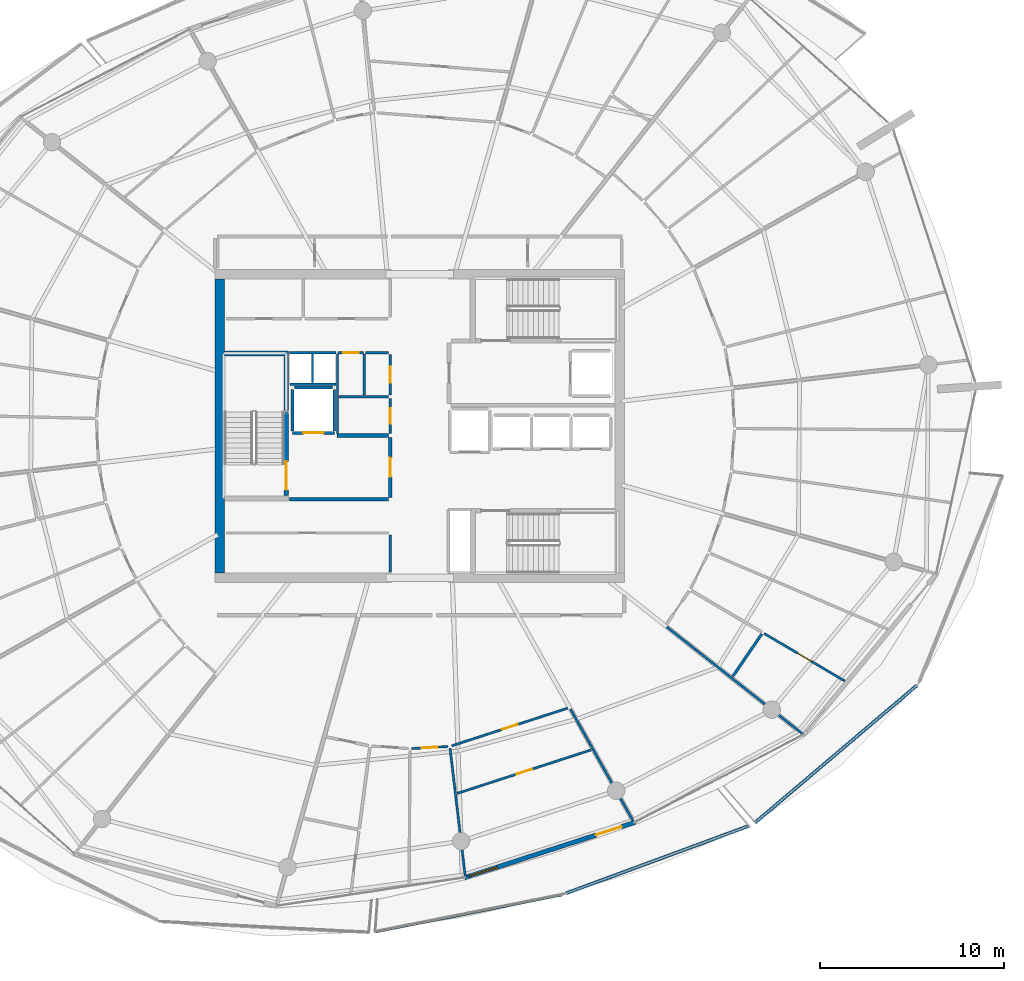
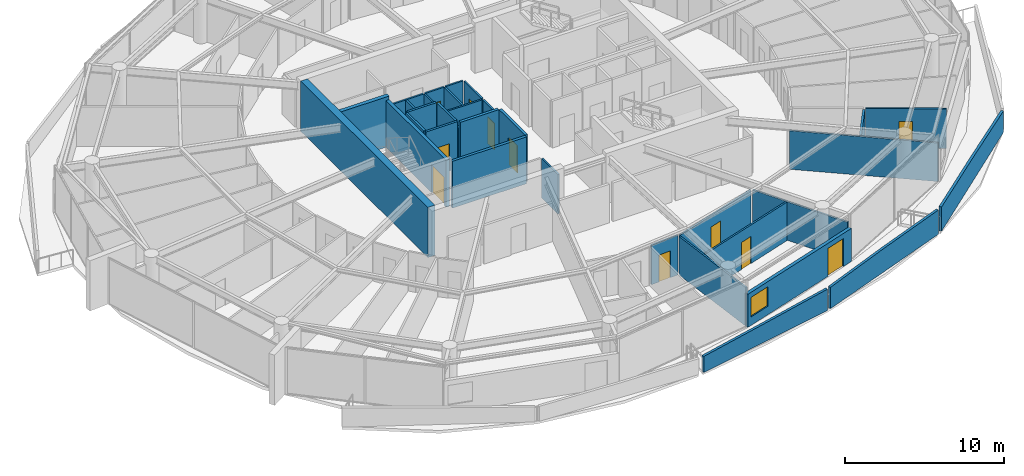
# One storey, part 18 of 29: 33 walls, 11 doors, 1 window, 12 openings.
"""IFC4 building model written with IfcOpenShell, lengths in metres."""

from ifc_helpers import new_model, si_unit, direction, frame, frame_2d, origin, place, context, subcontext, project, spatial, polyline, rectangle, outline, extrude, material, layer, layer_set, type_object, element, fill, save


model = new_model("IFC4")

# Units and contexts
model_context = context("Model", 3, precision=1e-05, world=origin(), true_north=direction((0.0, 1.0)))
body_context = subcontext(model_context, "Body", "Model", "MODEL_VIEW")
ifc_project = project(units=[si_unit("LENGTHUNIT", "METRE"), si_unit("AREAUNIT", "SQUARE_METRE"), si_unit("VOLUMEUNIT", "CUBIC_METRE"), si_unit("PLANEANGLEUNIT", "RADIAN"), si_unit("MASSUNIT", "GRAM", prefix="KILO")], contexts=[model_context])

# Site, building, storey
site_placement = place(None, origin())
site = spatial("IfcSite", under=ifc_project, at=site_placement, CompositionType="ELEMENT")
building_placement = place(site_placement, origin())
building = spatial("IfcBuilding", under=site, at=building_placement, Name="Kazma Halo Residences", CompositionType="ELEMENT")
storey_placement = place(building_placement, frame((0.0, 0.0, 286.75)))
storey = spatial("IfcBuildingStorey", under=building, at=storey_placement, Name="L72", CompositionType="ELEMENT", Elevation=286.75)

# Walls
ifc_material_1 = material(Name="White Concrete C50/60 Balustrade", Category="concrete")
ifc_layer_1 = layer(ifc_material_1, 0.179931640625)
ifc_layer_set_1 = layer_set([ifc_layer_1], Name="White Concrete C50/60 Balustrade")
wall_type_1 = type_object("IfcWallType", Name="WL-BAL-WAVE-180", PredefinedType="PARAPET", material=ifc_layer_set_1)
wall_1_placement = place(storey_placement, frame((46.005615234375, 14.513916015625, 0.0), z_axis=(0.0, 0.0, 1.0), x_axis=(0.980919619001, 0.194413736807, 0.0)))
element("IfcWall", 1, at=wall_1_placement, inside=storey, type_object=wall_type_1, Name="L72 white wave balustrade wall SSE.1", PredefinedType="PARAPET", context=body_context, shape_type="SweptSolid", body=[
    extrude(outline(polyline([(0.0, 0.0), (10.34375, 0.0), (10.34375, 1.632080078125), (5.171875, 1.41796875), (0.0, 1.23291015625), (0.0, 0.0)])), frame((0.0, 0.08984375, 0.0), z_axis=(0.0, -1.0, 0.0), x_axis=(1.0, 0.0, 0.0)), (0.0, 0.0, 1.0), 0.179931640625),
])
wall_2_placement = place(storey_placement, frame((56.38232421875, 16.589599609375, 0.0), z_axis=(0.0, 0.0, 1.0), x_axis=(0.938191788678, 0.346115829828, 0.0)))
element("IfcWall", 2, at=wall_2_placement, inside=storey, type_object=wall_type_1, Name="L72 white wave balustrade wall SSE.2", PredefinedType="PARAPET", context=body_context, shape_type="SweptSolid", body=[
    extrude(outline(polyline([(0.0, 0.0), (10.61083984375, 0.0), (10.61083984375, 1.860107421875), (5.305419921875, 1.798095703125), (0.0, 1.632080078125), (0.0, 0.0)])), frame((0.0, 0.08984375, 0.0), z_axis=(0.0, -1.0, 0.0), x_axis=(1.0, 0.0, 0.0)), (0.0, 0.0, 1.0), 0.179931640625),
])
wall_3_placement = place(storey_placement, frame((66.65234375, 20.428955078125, 0.0), z_axis=(0.0, 0.0, 1.0), x_axis=(0.762735629532, 0.646710413896, 0.0)))
element("IfcWall", 3, at=wall_3_placement, inside=storey, type_object=wall_type_1, Name="L72 white wave balustrade wall SE.1", PredefinedType="PARAPET", context=body_context, shape_type="SweptSolid", body=[
    extrude(outline(polyline([(0.0, 0.0), (11.53515625, 0.0), (11.53515625, 1.632080078125), (5.767578125, 1.798095703125), (0.0, 1.860107421875), (0.0, 0.0)])), frame((0.0, 0.08984375, 0.0), z_axis=(0.0, -1.0, 0.0), x_axis=(1.0, 0.0, 0.0)), (0.0, 0.0, 1.0), 0.179931640625),
])
ifc_material_2 = material(Name="Concrete C60/75", Category="concrete")
ifc_layer_2 = layer(ifc_material_2, 0.5)
ifc_layer_set_2 = layer_set([ifc_layer_2], Name="Concrete C60/75")
wall_type_2 = type_object("IfcWallType", Name="WL-CORE-500", PredefinedType="SHEAR", material=ifc_layer_set_2)
wall_4_placement = place(storey_placement, frame((37.550048828125, 34.0, 0.0), z_axis=(0.0, 0.0, 1.0), x_axis=(0.0, 1.0, 0.0)))
element("IfcWall", 4, at=wall_4_placement, inside=storey, type_object=wall_type_2, Name="L72 central core shear wall W", PredefinedType="SHEAR", context=body_context, shape_type="SweptSolid", body=[
    extrude(rectangle(XDim=16.0, YDim=0.5, at=frame_2d((8.0, 0.0))), origin(), (0.0, 0.0, 1.0), 3.85009765625),
])
ifc_layer_3 = layer(ifc_material_2, 0.280029296875)
ifc_layer_set_3 = layer_set([ifc_layer_3], Name="Concrete C60/75")
wall_type_3 = type_object("IfcWallType", Name="WL-CORE-ST-280", PredefinedType="SHEAR", material=ifc_layer_set_3)
wall_5_placement = place(storey_placement, frame((37.800048828125, 45.93994140625, 0.0), z_axis=(0.0, 0.0, 1.0), x_axis=(1.0, 0.0, 0.0)))
element("IfcWall", 5, at=wall_5_placement, inside=storey, type_object=wall_type_3, Name="L72 stairwell bearing wall ST01-N", PredefinedType="SHEAR", context=body_context, shape_type="SweptSolid", body=[
    extrude(rectangle(XDim=3.5, YDim=0.280029296875, at=frame_2d((1.75, 0.0))), origin(), (0.0, 0.0, 1.0), 3.85009765625),
])

# Wall, openings, door, window
ifc_material_3 = material(Name="Insulated Pale-Metal Composite Wall")
ifc_layer_4 = layer(ifc_material_3, 0.239990234375)
ifc_layer_set_4 = layer_set([ifc_layer_4], Name="Insulated Pale-Metal Composite Wall")
wall_type_4 = type_object("IfcWallType", Name="WL-EXT-HOST-240", PredefinedType="SOLIDWALL", material=ifc_layer_set_4)
wall_6_placement = place(storey_placement, frame((50.85791015625, 17.436279296875, 0.0), z_axis=(0.0, 0.0, 1.0), x_axis=(0.951055974609, 0.309018661507, 0.0)))
wall_6 = element("IfcWall", 6, at=wall_6_placement, inside=storey, type_object=wall_type_4, Name="L72 exterior terrace-access wall B12", PredefinedType="SOLIDWALL", context=body_context, shape_type="SweptSolid", body=[
    extrude(rectangle(XDim=9.745361328125, YDim=0.239990234375, at=frame_2d((4.87255859375, 0.0))), origin(), (0.0, 0.0, 1.0), 2.5400390625),
])
opening_1_placement = place(wall_6_placement, frame((7.525390625, 0.0, 0.0)))
opening_1 = element("IfcOpeningElement", 7, at=opening_1_placement, cuts=wall_6, Name="Opening DTR-1600", PredefinedType="OPENING", context=body_context, shape_type="SweptSolid", body=[
    extrude(rectangle(XDim=1.449951171875, YDim=2.14990234375, at=frame_2d((0.72509765625, 1.074951171875))), frame((0.0, 0.1298828125, 0.0), z_axis=(0.0, -1.0, 0.0), x_axis=(1.0, 0.0, 0.0)), (0.0, 0.0, 1.0), 0.260009765625),
])
opening_2_placement = place(wall_6_placement, frame((0.280029296875, 0.0, 0.64990234375)))
opening_2 = element("IfcOpeningElement", 8, at=opening_2_placement, cuts=wall_6, Name="Opening W-1800", PredefinedType="OPENING", context=body_context, shape_type="SweptSolid", body=[
    extrude(rectangle(XDim=1.60009765625, YDim=1.5, at=frame_2d((0.800048828125, 0.75))), frame((0.0, 0.1298828125, 0.0), z_axis=(0.0, -1.0, 0.0), x_axis=(1.0, 0.0, 0.0)), (0.0, 0.0, 1.0), 0.260009765625),
])
ifc_material_4 = material(Name="Aluminium AW-6063 T6 Double-Glazed Terrace Door", Category="aluminium")
door_type_1 = type_object("IfcDoorType", Name="DR-EXT-TERR-1600", OperationType="NOTDEFINED", PredefinedType="DOOR", material=ifc_material_4)
door_1_placement = place(opening_1_placement, origin())
door_1 = element("IfcDoor", 9, at=door_1_placement, inside=storey, type_object=door_type_1, Name="L72 B12 balcony terrace door", OperationType="DOUBLE_DOOR_SLIDING", OverallHeight=2.14990234375, OverallWidth=1.449951171875, PredefinedType="DOOR", context=body_context, shape_type="SweptSolid", body=[
    extrude(rectangle(XDim=1.449951171875, YDim=2.14990234375, at=frame_2d((0.72509765625, 1.074951171875))), frame((0.0, 0.02490234375, 0.0), z_axis=(0.0, -1.0, 0.0), x_axis=(1.0, 0.0, 0.0)), (0.0, 0.0, 1.0), 0.050048828125),
])
fill(opening_1, door_1)
ifc_material_5 = material(Name="Clear Triple-Silver Low-E Glass in Aluminium AW-6063 T6 Frame", Category="aluminium")
window_type = type_object("IfcWindowType", Name="WIN-RES-1800", PartitioningType="DOUBLE_PANEL_VERTICAL", PredefinedType="WINDOW", material=ifc_material_5)
window_placement = place(opening_2_placement, origin())
window = element("IfcWindow", 10, at=window_placement, inside=storey, type_object=window_type, Name="L72 B12 apartment window", OverallHeight=1.5, OverallWidth=1.60009765625, PartitioningType="SINGLE_PANEL", PredefinedType="WINDOW", context=body_context, shape_type="SweptSolid", body=[
    extrude(rectangle(XDim=1.60009765625, YDim=1.5, at=frame_2d((0.800048828125, 0.75))), frame((0.0, 0.030029296875, 0.0), z_axis=(0.0, -1.0, 0.0), x_axis=(1.0, 0.0, 0.0)), (0.0, 0.0, 1.0), 0.06005859375),
])
fill(opening_2, window)

# Wall, opening, door
ifc_material_6 = material(Name="Fire-Rated Blockwork Masonry", Category="masonry")
ifc_layer_5 = layer(ifc_material_6, 0.199951171875)
ifc_layer_set_5 = layer_set([ifc_layer_5], Name="Fire-Rated Blockwork Masonry")
wall_type_5 = type_object("IfcWallType", Name="WL-FLB-200", PredefinedType="PARTITIONING", material=ifc_layer_set_5)
wall_7_placement = place(storey_placement, frame((43.780029296875, 41.6201171875, 0.0), z_axis=(0.0, 0.0, 1.0), x_axis=(-1.0, 0.0, 0.0)))
wall_7 = element("IfcWall", 11, at=wall_7_placement, inside=storey, type_object=wall_type_5, Name="L72 lift shaft FL-01 front wall", PredefinedType="PARTITIONING", context=body_context, shape_type="SweptSolid", body=[
    extrude(rectangle(XDim=2.260009765625, YDim=0.159912109375, at=frame_2d((1.1298828125, 0.0))), origin(), (0.0, 0.0, 1.0), 3.590087890625),
])
opening_3_placement = place(wall_7_placement, frame((0.580078125, 0.0, 0.0)))
opening_3 = element("IfcOpeningElement", 12, at=opening_3_placement, cuts=wall_7, Name="Opening LD-FL-01", PredefinedType="OPENING", context=body_context, shape_type="SweptSolid", body=[
    extrude(rectangle(XDim=1.10009765625, YDim=2.10009765625, at=frame_2d((0.550048828125, 1.050048828125))), frame((0.0, 0.08984375, 0.0), z_axis=(0.0, -1.0, 0.0), x_axis=(1.0, 0.0, 0.0)), (0.0, 0.0, 1.0), 0.179931640625),
])
ifc_material_7 = material(Name="Stainless Steel Fire-Rated", Category="steel")
door_type_2 = type_object("IfcDoorType", Name="DR-LIFT-SLD-1100", OperationType="DOUBLE_DOOR_SLIDING", PredefinedType="DOOR", material=ifc_material_7)
door_2_placement = place(opening_3_placement, origin())
door_2 = element("IfcDoor", 13, at=door_2_placement, inside=storey, type_object=door_type_2, Name="L72 lift FL-01 sliding landing door", OperationType="DOUBLE_DOOR_SLIDING", OverallHeight=2.10009765625, OverallWidth=1.10009765625, PredefinedType="DOOR", context=body_context, shape_type="SweptSolid", body=[
    extrude(rectangle(XDim=1.10009765625, YDim=2.10009765625, at=frame_2d((0.550048828125, 1.050048828125))), frame((0.0, 0.02490234375, 0.0), z_axis=(0.0, -1.0, 0.0), x_axis=(1.0, 0.0, 0.0)), (0.0, 0.0, 1.0), 0.050048828125),
])
fill(opening_3, door_2)

# Walls
for number, where, z_axis, x_axis, name in (
    (14, (43.780029296875, 41.719970703125, 0.0), (0.0, 0.0, 1.0), (0.0, 1.0, 0.0), "L72 lift shaft FL-01 side wall E"),
    (15, (41.52001953125, 41.719970703125, 0.0), (0.0, 0.0, 1.0), (0.0, 1.0, 0.0), "L72 lift shaft FL-01 side wall W"),
):
    element("IfcWall", number, at=place(storey_placement, frame(where, z_axis=z_axis, x_axis=x_axis)), inside=storey, type_object=wall_type_5, Name=name, PredefinedType="PARTITIONING", context=body_context, shape_type="SweptSolid", body=[
        extrude(rectangle(XDim=2.260009765625, YDim=0.159912109375, at=frame_2d((1.1298828125, 0.0))), origin(), (0.0, 0.0, 1.0), 3.590087890625),
    ])
wall_8_placement = place(storey_placement, frame((41.6201171875, 44.080078125, 0.0), z_axis=(0.0, 0.0, 1.0), x_axis=(1.0, 0.0, 0.0)))
element("IfcWall", 16, at=wall_8_placement, inside=storey, type_object=wall_type_5, Name="L72 lift shaft FL-01 side wall N", PredefinedType="PARTITIONING", context=body_context, shape_type="SweptSolid", body=[
    extrude(rectangle(XDim=2.059814453125, YDim=0.159912109375, at=frame_2d((1.02978515625, 0.0))), origin(), (0.0, 0.0, 1.0), 3.590087890625),
])
wall_9_placement = place(storey_placement, frame((41.35009765625, 38.02001953125, 0.0), z_axis=(0.0, 0.0, 1.0), x_axis=(1.0, 0.0, 0.0)))
element("IfcWall", 17, at=wall_9_placement, inside=storey, type_object=wall_type_5, Name="L72 west firefighting lobby south smoke wall", PredefinedType="PARTITIONING", context=body_context, shape_type="SweptSolid", body=[
    extrude(rectangle(XDim=5.369873046875, YDim=0.199951171875, at=frame_2d((2.68505859375, 0.0))), origin(), (0.0, 0.0, 1.0), 3.590087890625),
])
wall_10_placement = place(storey_placement, frame((43.919921875, 41.47998046875, 0.0), z_axis=(0.0, 0.0, 1.0), x_axis=(1.0, 0.0, 0.0)))
element("IfcWall", 18, at=wall_10_placement, inside=storey, type_object=wall_type_5, Name="L72 west firefighting lobby north smoke wall", PredefinedType="PARTITIONING", context=body_context, shape_type="SweptSolid", body=[
    extrude(rectangle(XDim=2.800048828125, YDim=0.199951171875, at=frame_2d((1.39990234375, 0.0))), origin(), (0.0, 0.0, 1.0), 3.590087890625),
])

# Wall, opening, door
wall_11_placement = place(storey_placement, frame((46.820068359375, 38.1201171875, 0.0), z_axis=(0.0, 0.0, 1.0), x_axis=(0.0, 1.0, 0.0)))
wall_11 = element("IfcWall", 19, at=wall_11_placement, inside=storey, type_object=wall_type_5, Name="L72 west firefighting lobby smoke wall", PredefinedType="PARTITIONING", context=body_context, shape_type="SweptSolid", body=[
    extrude(rectangle(XDim=3.259765625, YDim=0.199951171875, at=frame_2d((1.6298828125, 0.0))), origin(), (0.0, 0.0, 1.0), 3.590087890625),
])
opening_4_placement = place(wall_11_placement, frame((1.10498046875, 0.0, 0.0)))
opening_4 = element("IfcOpeningElement", 20, at=opening_4_placement, cuts=wall_11, Name="Opening D-FLW", PredefinedType="OPENING", context=body_context, shape_type="SweptSolid", body=[
    extrude(rectangle(XDim=1.050048828125, YDim=2.10009765625, at=frame_2d((0.52490234375, 1.050048828125))), frame((0.0, 0.10986328125, 0.0), z_axis=(0.0, -1.0, 0.0), x_axis=(1.0, 0.0, 0.0)), (0.0, 0.0, 1.0), 0.219970703125),
])
ifc_material_8 = material(Name="Fire-Rated Steel Leaf", Category="steel")
door_type_3 = type_object("IfcDoorType", Name="DR-FD90-1050", OperationType="NOTDEFINED", PredefinedType="DOOR", material=ifc_material_8)
door_3_placement = place(opening_4_placement, origin())
door_3 = element("IfcDoor", 21, at=door_3_placement, inside=storey, type_object=door_type_3, Name="L72 west firefighting lobby smoke door", OperationType="SINGLE_SWING_LEFT", OverallHeight=2.10009765625, OverallWidth=1.050048828125, PredefinedType="DOOR", context=body_context, shape_type="SweptSolid", body=[
    extrude(rectangle(XDim=1.050048828125, YDim=2.10009765625, at=frame_2d((0.52490234375, 1.050048828125))), frame((0.0, 0.02490234375, 0.0), z_axis=(0.0, -1.0, 0.0), x_axis=(1.0, 0.0, 0.0)), (0.0, 0.0, 1.0), 0.050048828125),
])
fill(opening_4, door_3)

# Walls
ifc_material_9 = material(Name="Gypsum Plasterboard Partition")
ifc_layer_6 = layer(ifc_material_9, 0.125)
ifc_layer_set_6 = layer_set([ifc_layer_6], Name="Gypsum Plasterboard Partition")
wall_type_6 = type_object("IfcWallType", Name="WL-PART-125", PredefinedType="PARTITIONING", material=ifc_layer_set_6)
wall_12_placement = place(storey_placement, frame((46.820068359375, 34.050048828125, 0.0), z_axis=(0.0, 0.0, 1.0), x_axis=(0.0, 1.0, 0.0)))
element("IfcWall", 22, at=wall_12_placement, inside=storey, type_object=wall_type_6, Name="L72 reclaimed south east wall", PredefinedType="PARTITIONING", context=body_context, shape_type="SweptSolid", body=[
    extrude(rectangle(XDim=2.030029296875, YDim=0.125, at=frame_2d((1.01513671875, 0.0))), origin(), (0.0, 0.0, 1.0), 3.030029296875),
])
wall_13_placement = place(storey_placement, frame((41.360107421875, 44.260009765625, 0.0), z_axis=(0.0, 0.0, 1.0), x_axis=(1.0, 0.0, 0.0)))
element("IfcWall", 23, at=wall_13_placement, inside=storey, type_object=wall_type_6, Name="L72 core riser south wall", PredefinedType="PARTITIONING", context=body_context, shape_type="SweptSolid", body=[
    extrude(rectangle(XDim=2.5, YDim=0.125, at=frame_2d((1.25, 0.0))), origin(), (0.0, 0.0, 1.0), 3.030029296875),
])
wall_14_placement = place(storey_placement, frame((42.60009765625, 44.35009765625, 0.0), z_axis=(0.0, 0.0, 1.0), x_axis=(0.0, 1.0, 0.0)))
element("IfcWall", 24, at=wall_14_placement, inside=storey, type_object=wall_type_6, Name="L72 core riser divider wall", PredefinedType="PARTITIONING", context=body_context, shape_type="SweptSolid", body=[
    extrude(rectangle(XDim=1.5498046875, YDim=0.125, at=frame_2d((0.77490234375, 0.0))), origin(), (0.0, 0.0, 1.0), 3.030029296875),
])
wall_15_placement = place(storey_placement, frame((43.949951171875, 41.580078125, 0.0), z_axis=(0.0, 0.0, 1.0), x_axis=(0.0, 1.0, 0.0)))
element("IfcWall", 25, at=wall_15_placement, inside=storey, type_object=wall_type_6, Name="L72 core service west wall", PredefinedType="PARTITIONING", context=body_context, shape_type="SweptSolid", body=[
    extrude(rectangle(XDim=4.31982421875, YDim=0.125, at=frame_2d((2.159912109375, 0.0))), origin(), (0.0, 0.0, 1.0), 3.030029296875),
])
wall_16_placement = place(storey_placement, frame((44.030029296875, 43.590087890625, 0.0), z_axis=(0.0, 0.0, 1.0), x_axis=(1.0, 0.0, 0.0)))
element("IfcWall", 26, at=wall_16_placement, inside=storey, type_object=wall_type_6, Name="L72 core service horiz divider", PredefinedType="PARTITIONING", context=body_context, shape_type="SweptSolid", body=[
    extrude(rectangle(XDim=2.7099609375, YDim=0.125, at=frame_2d((1.35498046875, 0.0))), origin(), (0.0, 0.0, 1.0), 3.030029296875),
])
wall_17_placement = place(storey_placement, frame((45.409912109375, 43.669921875, 0.0), z_axis=(0.0, 0.0, 1.0), x_axis=(0.0, 1.0, 0.0)))
element("IfcWall", 27, at=wall_17_placement, inside=storey, type_object=wall_type_6, Name="L72 core service vert divider", PredefinedType="PARTITIONING", context=body_context, shape_type="SweptSolid", body=[
    extrude(rectangle(XDim=2.22998046875, YDim=0.125, at=frame_2d((1.114990234375, 0.0))), origin(), (0.0, 0.0, 1.0), 3.030029296875),
])

# Wall, opening, door
wall_18_placement = place(storey_placement, frame((46.820068359375, 41.580078125, 0.0), z_axis=(0.0, 0.0, 1.0), x_axis=(0.0, 1.0, 0.0)))
wall_18 = element("IfcWall", 28, at=wall_18_placement, inside=storey, type_object=wall_type_6, Name="L72 refuse room east wall", PredefinedType="PARTITIONING", context=body_context, shape_type="SweptSolid", body=[
    extrude(rectangle(XDim=1.909912109375, YDim=0.125, at=frame_2d((0.955078125, 0.0))), origin(), (0.0, 0.0, 1.0), 3.030029296875),
])
opening_5_placement = place(wall_18_placement, frame((0.530029296875, 0.0, 0.0)))
opening_5 = element("IfcOpeningElement", 29, at=opening_5_placement, cuts=wall_18, Name="Opening DS-850", PredefinedType="OPENING", context=body_context, shape_type="SweptSolid", body=[
    extrude(rectangle(XDim=0.85009765625, YDim=2.06005859375, at=frame_2d((0.425048828125, 1.030029296875))), frame((0.0, 0.072509765625, 0.0), z_axis=(0.0, -1.0, 0.0), x_axis=(1.0, 0.0, 0.0)), (0.0, 0.0, 1.0), 0.14501953125),
])
ifc_material_10 = material(Name="Painted Steel Access Leaf", Category="steel")
door_type_4 = type_object("IfcDoorType", Name="DR-SVC-850", OperationType="NOTDEFINED", PredefinedType="DOOR", material=ifc_material_10)
door_4_placement = place(opening_5_placement, origin())
door_4 = element("IfcDoor", 30, at=door_4_placement, inside=storey, type_object=door_type_4, Name="L72 refuse room door", OperationType="SINGLE_SWING_LEFT", OverallHeight=2.06005859375, OverallWidth=0.85009765625, PredefinedType="DOOR", context=body_context, shape_type="SweptSolid", body=[
    extrude(rectangle(XDim=0.85009765625, YDim=2.06005859375, at=frame_2d((0.425048828125, 1.030029296875))), frame((0.0, 0.02490234375, 0.0), z_axis=(0.0, -1.0, 0.0), x_axis=(1.0, 0.0, 0.0)), (0.0, 0.0, 1.0), 0.050048828125),
])
fill(opening_5, door_4)

wall_19_placement = place(storey_placement, frame((46.820068359375, 43.68994140625, 0.0), z_axis=(0.0, 0.0, 1.0), x_axis=(0.0, 1.0, 0.0)))
wall_19 = element("IfcWall", 31, at=wall_19_placement, inside=storey, type_object=wall_type_6, Name="L72 sub-metering east wall", PredefinedType="PARTITIONING", context=body_context, shape_type="SweptSolid", body=[
    extrude(rectangle(XDim=2.18994140625, YDim=0.125, at=frame_2d((1.094970703125, 0.0))), origin(), (0.0, 0.0, 1.0), 3.030029296875),
])
opening_6_placement = place(wall_19_placement, frame((0.669921875, 0.0, 0.0)))
opening_6 = element("IfcOpeningElement", 32, at=opening_6_placement, cuts=wall_19, Name="Opening DS-850", PredefinedType="OPENING", context=body_context, shape_type="SweptSolid", body=[
    extrude(rectangle(XDim=0.85009765625, YDim=2.06005859375, at=frame_2d((0.425048828125, 1.030029296875))), frame((0.0, 0.072509765625, 0.0), z_axis=(0.0, -1.0, 0.0), x_axis=(1.0, 0.0, 0.0)), (0.0, 0.0, 1.0), 0.14501953125),
])
door_5_placement = place(opening_6_placement, origin())
door_5 = element("IfcDoor", 33, at=door_5_placement, inside=storey, type_object=door_type_4, Name="L72 sub-metering door", OperationType="SINGLE_SWING_RIGHT", OverallHeight=2.06005859375, OverallWidth=0.85009765625, PredefinedType="DOOR", context=body_context, shape_type="SweptSolid", body=[
    extrude(rectangle(XDim=0.85009765625, YDim=2.06005859375, at=frame_2d((0.425048828125, 1.030029296875))), frame((0.0, 0.02490234375, 0.0), z_axis=(0.0, -1.0, 0.0), x_axis=(1.0, 0.0, 0.0)), (0.0, 0.0, 1.0), 0.050048828125),
])
fill(opening_6, door_5)

# Wall
wall_20_placement = place(storey_placement, frame((41.35009765625, 45.97998046875, 0.0), z_axis=(0.0, 0.0, 1.0), x_axis=(1.0, 0.0, 0.0)))
element("IfcWall", 34, at=wall_20_placement, inside=storey, type_object=wall_type_6, Name="L72 core riser NW wall", PredefinedType="PARTITIONING", context=body_context, shape_type="SweptSolid", body=[
    extrude(rectangle(XDim=2.52978515625, YDim=0.125, at=frame_2d((1.264892578125, 0.0))), origin(), (0.0, 0.0, 1.0), 3.030029296875),
])

# Wall, opening, door
wall_21_placement = place(storey_placement, frame((43.989990234375, 45.97998046875, 0.0), z_axis=(0.0, 0.0, 1.0), x_axis=(1.0, 0.0, 0.0)))
wall_21 = element("IfcWall", 35, at=wall_21_placement, inside=storey, type_object=wall_type_6, Name="L72 cleaners cupboard north wall", PredefinedType="PARTITIONING", context=body_context, shape_type="SweptSolid", body=[
    extrude(rectangle(XDim=1.380126953125, YDim=0.125, at=frame_2d((0.68994140625, 0.0))), origin(), (0.0, 0.0, 1.0), 3.030029296875),
])
opening_7_placement = place(wall_21_placement, frame((0.264892578125, 0.0, 0.0)))
opening_7 = element("IfcOpeningElement", 36, at=opening_7_placement, cuts=wall_21, Name="Opening DS-850", PredefinedType="OPENING", context=body_context, shape_type="SweptSolid", body=[
    extrude(rectangle(XDim=0.85009765625, YDim=2.06005859375, at=frame_2d((0.425048828125, 1.030029296875))), frame((0.0, 0.072509765625, 0.0), z_axis=(0.0, -1.0, 0.0), x_axis=(1.0, 0.0, 0.0)), (0.0, 0.0, 1.0), 0.14501953125),
])
door_6_placement = place(opening_7_placement, origin())
door_6 = element("IfcDoor", 37, at=door_6_placement, inside=storey, type_object=door_type_4, Name="L72 cleaners cupboard door", OperationType="SINGLE_SWING_LEFT", OverallHeight=2.06005859375, OverallWidth=0.85009765625, PredefinedType="DOOR", context=body_context, shape_type="SweptSolid", body=[
    extrude(rectangle(XDim=0.85009765625, YDim=2.06005859375, at=frame_2d((0.425048828125, 1.030029296875))), frame((0.0, 0.02490234375, 0.0), z_axis=(0.0, -1.0, 0.0), x_axis=(1.0, 0.0, 0.0)), (0.0, 0.0, 1.0), 0.050048828125),
])
fill(opening_7, door_6)

# Wall
wall_22_placement = place(storey_placement, frame((45.47998046875, 45.97998046875, 0.0), z_axis=(0.0, 0.0, 1.0), x_axis=(1.0, 0.0, 0.0)))
element("IfcWall", 38, at=wall_22_placement, inside=storey, type_object=wall_type_6, Name="L72 sub-metering north wall", PredefinedType="PARTITIONING", context=body_context, shape_type="SweptSolid", body=[
    extrude(rectangle(XDim=1.260009765625, YDim=0.125, at=frame_2d((0.6298828125, 0.0))), origin(), (0.0, 0.0, 1.0), 3.030029296875),
])

# Wall, opening, door
wall_23_placement = place(storey_placement, frame((47.97314453125, 24.458740234375, 0.0), z_axis=(0.0, 0.0, 1.0), x_axis=(0.998437647815, 0.055877217404, 0.0)))
wall_23 = element("IfcWall", 39, at=wall_23_placement, inside=storey, type_object=wall_type_6, Name="L72 Apartment 2 Primary Bedroom hall wall", PredefinedType="PARTITIONING", context=body_context, shape_type="SweptSolid", body=[
    extrude(rectangle(XDim=1.992431640625, YDim=0.125, at=frame_2d((0.99609375, 0.0))), origin(), (0.0, 0.0, 1.0), 3.030029296875),
])
opening_8_placement = place(wall_23_placement, frame((0.5712890625, 0.0, 0.0)))
opening_8 = element("IfcOpeningElement", 40, at=opening_8_placement, cuts=wall_23, Name="Opening DB-900", PredefinedType="OPENING", context=body_context, shape_type="SweptSolid", body=[
    extrude(rectangle(XDim=0.85009765625, YDim=2.06005859375, at=frame_2d((0.425048828125, 1.030029296875))), frame((0.0, 0.072509765625, 0.0), z_axis=(0.0, -1.0, 0.0), x_axis=(1.0, 0.0, 0.0)), (0.0, 0.0, 1.0), 0.14501953125),
])
ifc_material_11 = material(Name="Moisture-Sealed Timber Leaf", Category="wood")
door_type_5 = type_object("IfcDoorType", Name="DR-BTH-900", OperationType="NOTDEFINED", PredefinedType="DOOR", material=ifc_material_11)
door_7_placement = place(opening_8_placement, origin())
door_7 = element("IfcDoor", 41, at=door_7_placement, inside=storey, type_object=door_type_5, Name="L72 Apartment 2 Primary Bedroom door", OperationType="SINGLE_SWING_RIGHT", OverallHeight=2.06005859375, OverallWidth=0.85009765625, PredefinedType="DOOR", context=body_context, shape_type="SweptSolid", body=[
    extrude(rectangle(XDim=0.85009765625, YDim=2.06005859375, at=frame_2d((0.425048828125, 1.030029296875))), frame((0.0, 0.02490234375, 0.0), z_axis=(0.0, -1.0, 0.0), x_axis=(1.0, 0.0, 0.0)), (0.0, 0.0, 1.0), 0.050048828125),
])
fill(opening_8, door_7)

# Walls
wall_24_placement = place(storey_placement, frame((50.07421875, 24.476318359375, 0.0), z_axis=(0.0, 0.0, 1.0), x_axis=(0.117522488278, -0.993070221459, 0.0)))
element("IfcWall", 42, at=wall_24_placement, inside=storey, type_object=wall_type_6, Name="L72 Apartment 2 radial partition 11", PredefinedType="PARTITIONING", context=body_context, shape_type="SweptSolid", body=[
    extrude(rectangle(XDim=7.048583984375, YDim=0.125, at=frame_2d((3.5244140625, 0.0))), origin(), (0.0, 0.0, 1.0), 2.95703125),
])
wall_25_placement = place(storey_placement, frame((56.622314453125, 26.60400390625, 0.0), z_axis=(0.0, 0.0, 1.0), x_axis=(0.488617277218, -0.872498227164, 0.0)))
element("IfcWall", 43, at=wall_25_placement, inside=storey, type_object=wall_type_6, Name="L72 Apartment 2 living radial partition 11", PredefinedType="PARTITIONING", context=body_context, shape_type="SweptSolid", body=[
    extrude(rectangle(XDim=6.94873046875, YDim=0.125, at=frame_2d((3.474365234375, 0.0))), origin(), (0.0, 0.0, 1.0), 2.95703125),
])

# Wall, opening, door
wall_26_placement = place(storey_placement, frame((50.1669921875, 24.609619140625, 0.0), z_axis=(0.0, 0.0, 1.0), x_axis=(0.951054645086, 0.309022753306, 0.0)))
wall_26 = element("IfcWall", 44, at=wall_26_placement, inside=storey, type_object=wall_type_6, Name="L72 Apartment 2 East Study hall wall", PredefinedType="PARTITIONING", context=body_context, shape_type="SweptSolid", body=[
    extrude(rectangle(XDim=6.6259765625, YDim=0.125, at=frame_2d((3.31298828125, 0.0))), origin(), (0.0, 0.0, 1.0), 2.95703125),
])
opening_9_placement = place(wall_26_placement, frame((2.863037109375, 0.0, 0.0)))
opening_9 = element("IfcOpeningElement", 45, at=opening_9_placement, cuts=wall_26, Name="Opening DI-950", PredefinedType="OPENING", context=body_context, shape_type="SweptSolid", body=[
    extrude(rectangle(XDim=0.89990234375, YDim=2.080078125, at=frame_2d((0.449951171875, 1.0400390625))), frame((0.0, 0.072509765625, 0.0), z_axis=(0.0, -1.0, 0.0), x_axis=(1.0, 0.0, 0.0)), (0.0, 0.0, 1.0), 0.14501953125),
])
ifc_material_12 = material(Name="Timber Veneer Flush Leaf", Category="wood")
door_type_6 = type_object("IfcDoorType", Name="DR-INT-950", OperationType="NOTDEFINED", PredefinedType="DOOR", material=ifc_material_12)
door_8_placement = place(opening_9_placement, origin())
door_8 = element("IfcDoor", 46, at=door_8_placement, inside=storey, type_object=door_type_6, Name="L72 Apartment 2 East Study door", OperationType="SINGLE_SWING_RIGHT", OverallHeight=2.080078125, OverallWidth=0.89990234375, PredefinedType="DOOR", context=body_context, shape_type="SweptSolid", body=[
    extrude(rectangle(XDim=0.89990234375, YDim=2.080078125, at=frame_2d((0.449951171875, 1.0400390625))), frame((0.0, 0.02490234375, 0.0), z_axis=(0.0, -1.0, 0.0), x_axis=(1.0, 0.0, 0.0)), (0.0, 0.0, 1.0), 0.050048828125),
])
fill(opening_9, door_8)

wall_27_placement = place(storey_placement, frame((50.472900390625, 22.024658203125, 0.0), z_axis=(0.0, 0.0, 1.0), x_axis=(0.951058483557, 0.309010939699, 0.0)))
wall_27 = element("IfcWall", 47, at=wall_27_placement, inside=storey, type_object=wall_type_6, Name="L72 Apartment 2 West Master Bedroom divider wall", PredefinedType="PARTITIONING", context=body_context, shape_type="SweptSolid", body=[
    extrude(rectangle(XDim=7.6416015625, YDim=0.125, at=frame_2d((3.82080078125, 0.0))), origin(), (0.0, 0.0, 1.0), 2.95703125),
])
opening_10_placement = place(wall_27_placement, frame((3.370849609375, 0.0, 0.0)))
opening_10 = element("IfcOpeningElement", 48, at=opening_10_placement, cuts=wall_27, Name="Opening DI-950", PredefinedType="OPENING", context=body_context, shape_type="SweptSolid", body=[
    extrude(rectangle(XDim=0.89990234375, YDim=2.080078125, at=frame_2d((0.449951171875, 1.0400390625))), frame((0.0, 0.072509765625, 0.0), z_axis=(0.0, -1.0, 0.0), x_axis=(1.0, 0.0, 0.0)), (0.0, 0.0, 1.0), 0.14501953125),
])
door_9_placement = place(opening_10_placement, origin())
door_9 = element("IfcDoor", 49, at=door_9_placement, inside=storey, type_object=door_type_6, Name="L72 Apartment 2 West Master Bedroom door", OperationType="SINGLE_SWING_LEFT", OverallHeight=2.080078125, OverallWidth=0.89990234375, PredefinedType="DOOR", context=body_context, shape_type="SweptSolid", body=[
    extrude(rectangle(XDim=0.89990234375, YDim=2.080078125, at=frame_2d((0.449951171875, 1.0400390625))), frame((0.0, 0.02490234375, 0.0), z_axis=(0.0, -1.0, 0.0), x_axis=(1.0, 0.0, 0.0)), (0.0, 0.0, 1.0), 0.050048828125),
])
fill(opening_10, door_9)

# Wall
wall_28_placement = place(storey_placement, frame((61.857666015625, 31.075439453125, 0.0), z_axis=(0.0, 0.0, 1.0), x_axis=(0.785325513659, -0.619083061952, 0.0)))
element("IfcWall", 50, at=wall_28_placement, inside=storey, type_object=wall_type_6, Name="L72 Apartment 2 radial partition 13", PredefinedType="PARTITIONING", context=body_context, shape_type="SweptSolid", body=[
    extrude(rectangle(XDim=9.4384765625, YDim=0.125, at=frame_2d((4.71923828125, 0.0))), origin(), (0.0, 0.0, 1.0), 2.95703125),
])

# Wall, opening, door
wall_29_placement = place(storey_placement, frame((67.148681640625, 30.716064453125, 0.0), z_axis=(0.0, 0.0, 1.0), x_axis=(0.861535840118, -0.507696756136, 0.0)))
wall_29 = element("IfcWall", 51, at=wall_29_placement, inside=storey, type_object=wall_type_6, Name="L72 Apartment 2 South Walk-In Wardrobe partition wall", PredefinedType="PARTITIONING", context=body_context, shape_type="SweptSolid", body=[
    extrude(rectangle(XDim=5.092041015625, YDim=0.125, at=frame_2d((2.5458984375, 0.0))), origin(), (0.0, 0.0, 1.0), 3.030029296875),
])
opening_11_placement = place(wall_29_placement, frame((2.12109375, 0.0, 0.0)))
opening_11 = element("IfcOpeningElement", 52, at=opening_11_placement, cuts=wall_29, Name="Opening DB-900", PredefinedType="OPENING", context=body_context, shape_type="SweptSolid", body=[
    extrude(rectangle(XDim=0.85009765625, YDim=2.06005859375, at=frame_2d((0.425048828125, 1.030029296875))), frame((0.0, 0.072509765625, 0.0), z_axis=(0.0, -1.0, 0.0), x_axis=(1.0, 0.0, 0.0)), (0.0, 0.0, 1.0), 0.14501953125),
])
door_10_placement = place(opening_11_placement, origin())
door_10 = element("IfcDoor", 53, at=door_10_placement, inside=storey, type_object=door_type_5, Name="L72 Apartment 2 South Walk-In Wardrobe door", OperationType="SINGLE_SWING_LEFT", OverallHeight=2.06005859375, OverallWidth=0.85009765625, PredefinedType="DOOR", context=body_context, shape_type="SweptSolid", body=[
    extrude(rectangle(XDim=0.85009765625, YDim=2.06005859375, at=frame_2d((0.425048828125, 1.030029296875))), frame((0.0, 0.02490234375, 0.0), z_axis=(0.0, -1.0, 0.0), x_axis=(1.0, 0.0, 0.0)), (0.0, 0.0, 1.0), 0.050048828125),
])
fill(opening_11, door_10)

ifc_material_13 = material(Name="Concrete C50/60", Category="concrete")
ifc_layer_7 = layer(ifc_material_13, 0.25)
ifc_layer_set_7 = layer_set([ifc_layer_7], Name="Concrete C50/60")
wall_type_7 = type_object("IfcWallType", Name="WL-SHF-250", PredefinedType="SOLIDWALL", material=ifc_layer_set_7)
wall_30_placement = place(storey_placement, frame((41.179931640625, 38.219970703125, 0.0), z_axis=(0.0, 0.0, 1.0), x_axis=(0.0, 1.0, 0.0)))
wall_30 = element("IfcWall", 54, at=wall_30_placement, inside=storey, type_object=wall_type_7, Name="L72 exit stair ST-01 enclosure wall", PredefinedType="SOLIDWALL", context=body_context, shape_type="SweptSolid", body=[
    extrude(rectangle(XDim=7.56005859375, YDim=0.25, at=frame_2d((3.780029296875, 0.0))), origin(), (0.0, 0.0, 1.0), 3.590087890625),
])
opening_12_placement = place(wall_30_placement, frame((0.300048828125, 0.0, 0.0)))
opening_12 = element("IfcOpeningElement", 55, at=opening_12_placement, cuts=wall_30, Name="Opening D-ST1", PredefinedType="OPENING", context=body_context, shape_type="SweptSolid", body=[
    extrude(rectangle(XDim=1.550048828125, YDim=2.14990234375, at=frame_2d((0.77490234375, 1.074951171875))), frame((0.0, 0.135009765625, 0.0), z_axis=(0.0, -1.0, 0.0), x_axis=(1.0, 0.0, 0.0)), (0.0, 0.0, 1.0), 0.27001953125),
])
ifc_material_14 = material(Name="Fire-Rated Double Steel Leaf", Category="steel")
door_type_7 = type_object("IfcDoorType", Name="DR-FD90-1550", OperationType="NOTDEFINED", PredefinedType="DOOR", material=ifc_material_14)
door_11_placement = place(opening_12_placement, origin())
door_11 = element("IfcDoor", 56, at=door_11_placement, inside=storey, type_object=door_type_7, Name="L72 exit stair ST-01 fire door", OperationType="DOUBLE_DOOR_SINGLE_SWING", OverallHeight=2.14990234375, OverallWidth=1.550048828125, PredefinedType="DOOR", context=body_context, shape_type="SweptSolid", body=[
    extrude(rectangle(XDim=1.550048828125, YDim=2.14990234375, at=frame_2d((0.77490234375, 1.074951171875))), frame((0.0, 0.02490234375, 0.0), z_axis=(0.0, -1.0, 0.0), x_axis=(1.0, 0.0, 0.0)), (0.0, 0.0, 1.0), 0.050048828125),
])
fill(opening_12, door_11)

# Wall
ifc_material_15 = material(Name="Moisture-Resistant Gypsum")
ifc_layer_8 = layer(ifc_material_15, 0.14990234375)
ifc_layer_set_8 = layer_set([ifc_layer_8], Name="Moisture-Resistant Gypsum")
wall_type_8 = type_object("IfcWallType", Name="WL-WET-150", PredefinedType="PARTITIONING", material=ifc_layer_set_8)
wall_31_placement = place(storey_placement, frame((65.440185546875, 28.378173828125, 0.0), z_axis=(0.0, 0.0, 1.0), x_axis=(0.564687043446, 0.82530512113, 0.0)))
element("IfcWall", 57, at=wall_31_placement, inside=storey, type_object=wall_type_8, Name="L72 Apartment 2 North En-Suite Bathroom back wall", PredefinedType="PARTITIONING", context=body_context, shape_type="SweptSolid", body=[
    extrude(rectangle(XDim=2.798095703125, YDim=0.14990234375, at=frame_2d((1.39892578125, 0.0))), origin(), (0.0, 0.0, 1.0), 2.95703125),
])

save(model, "model.ifc")
